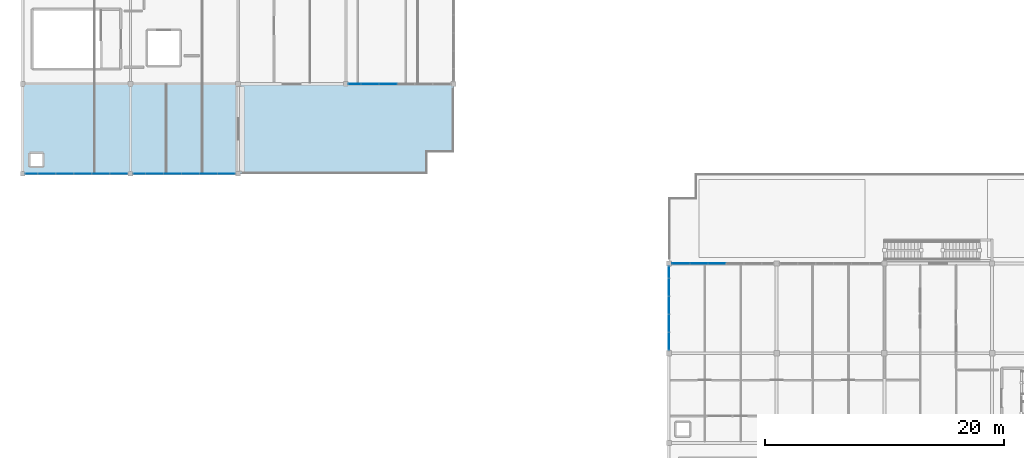
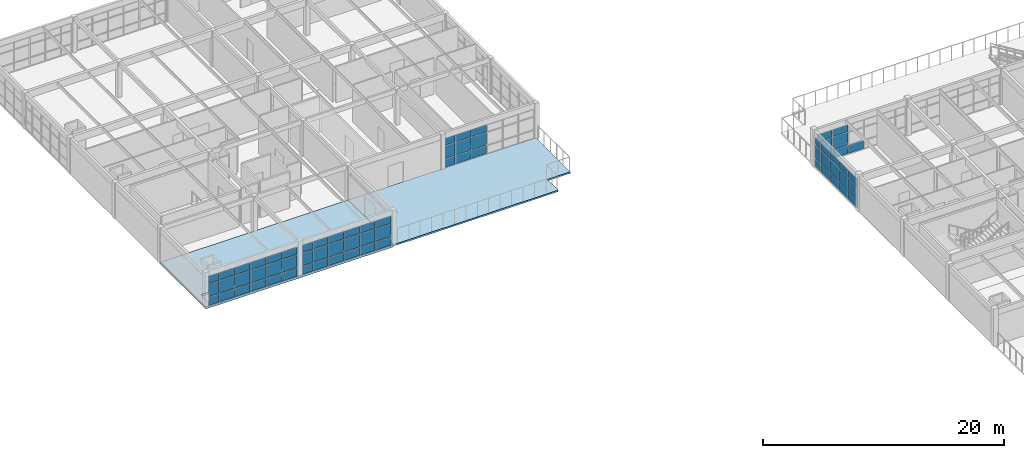
# One storey, part 27 of 45: 67 plates, 2 slabs, 5 elements without a shape of their own.
"""IFC4 building model written with IfcOpenShell, lengths in metres."""

from ifc_helpers import new_model, si_unit, direction, frame, origin, origin_2d, place, context, subcontext, project, spatial, polyline, rectangle, outline, extrude, material, layer, layer_set, type_object, element, aggregate, save


model = new_model("IFC4")

# Units and contexts
model_context = context("Model", 3, precision=1e-05, world=origin(), true_north=direction((0.0, 1.0)))
body_context = subcontext(model_context, "Body", "Model", "MODEL_VIEW")
ifc_project = project(units=[si_unit("LENGTHUNIT", "METRE"), si_unit("AREAUNIT", "SQUARE_METRE"), si_unit("VOLUMEUNIT", "CUBIC_METRE"), si_unit("PLANEANGLEUNIT", "RADIAN"), si_unit("MASSUNIT", "GRAM", prefix="KILO")], contexts=[model_context])

# Site, building, storey
site_placement = place(None, origin())
site = spatial("IfcSite", under=ifc_project, at=site_placement, CompositionType="ELEMENT")
building_placement = place(site_placement, origin())
building = spatial("IfcBuilding", under=site, at=building_placement, Name="Marnridge Secondary College", CompositionType="ELEMENT")
storey_placement = place(building_placement, frame((0.0, 0.0, 12.300048828125)))
storey = spatial("IfcBuildingStorey", under=building, at=storey_placement, Name="L03", CompositionType="ELEMENT", Elevation=12.300048828125)

# Curtain wall, plates
ifc_material_1 = material(Name="Thermally broken aluminium and low-E glazing", Category="aluminium")
ifc_layer_1 = layer(ifc_material_1, 0.159912109375)
ifc_layer_set_1 = layer_set([ifc_layer_1], Name="CW-MOD-1500")
curtain_wall_type = type_object("IfcCurtainWallType", Name="CW-MOD-1500", PredefinedType="NOTDEFINED", material=ifc_layer_set_1)
curtain_wall_1_placement = place(storey_placement, origin())
curtain_wall_1 = element("IfcCurtainWall", 1, at=curtain_wall_1_placement, inside=storey, type_object=curtain_wall_type, Name="Unitised curtain wall CW-L03-114", PredefinedType="NOTDEFINED")
ifc_material_2 = material(Name="Double-glazed low-E argon unit", Category="glass")
ifc_layer_2 = layer(ifc_material_2, 0.028076171875)
ifc_layer_set_2 = layer_set([ifc_layer_2], Name="CWP-GLZ28")
plate_type = type_object("IfcPlateType", Name="CWP-GLZ28", PredefinedType="CURTAIN_PANEL", material=ifc_layer_set_2)
plate_1_placement = place(storey_placement, frame((55.009033203125, 75.0, 0.059814453125), z_axis=(0.0, 0.0, 1.0), x_axis=(1.0, 0.0, 0.0)))
plate_1 = element("IfcPlate", 2, at=plate_1_placement, type_object=plate_type, Name="CW-L03-114 panel 1.1", PredefinedType="CURTAIN_PANEL", context=body_context, shape_type="SweptSolid", body=[
    extrude(rectangle(XDim=1.43994140625, YDim=0.028076171875, at=origin_2d()), origin(), (0.0, 0.0, 1.0), 0.81005859375),
])
plate_2_placement = place(storey_placement, frame((55.009033203125, 75.0, 0.929931640625), z_axis=(0.0, 0.0, 1.0), x_axis=(1.0, 0.0, 0.0)))
plate_2 = element("IfcPlate", 3, at=plate_2_placement, type_object=plate_type, Name="CW-L03-114 panel 1.2", PredefinedType="CURTAIN_PANEL", context=body_context, shape_type="SweptSolid", body=[
    extrude(rectangle(XDim=1.43994140625, YDim=0.028076171875, at=origin_2d()), origin(), (0.0, 0.0, 1.0), 1.2900390625),
])
plate_3_placement = place(storey_placement, frame((55.009033203125, 75.0, 2.280029296875), z_axis=(0.0, 0.0, 1.0), x_axis=(1.0, 0.0, 0.0)))
plate_3 = element("IfcPlate", 4, at=plate_3_placement, type_object=plate_type, Name="CW-L03-114 panel 1.3", PredefinedType="CURTAIN_PANEL", context=body_context, shape_type="SweptSolid", body=[
    extrude(rectangle(XDim=1.43994140625, YDim=0.028076171875, at=origin_2d()), origin(), (0.0, 0.0, 1.0), 0.70703125),
])
plate_4_placement = place(storey_placement, frame((56.509033203125, 75.0, 0.059814453125), z_axis=(0.0, 0.0, 1.0), x_axis=(1.0, 0.0, 0.0)))
plate_4 = element("IfcPlate", 5, at=plate_4_placement, type_object=plate_type, Name="CW-L03-114 panel 2.1", PredefinedType="CURTAIN_PANEL", context=body_context, shape_type="SweptSolid", body=[
    extrude(rectangle(XDim=1.43994140625, YDim=0.028076171875, at=origin_2d()), origin(), (0.0, 0.0, 1.0), 0.81005859375),
])
plate_5_placement = place(storey_placement, frame((56.509033203125, 75.0, 0.929931640625), z_axis=(0.0, 0.0, 1.0), x_axis=(1.0, 0.0, 0.0)))
plate_5 = element("IfcPlate", 6, at=plate_5_placement, type_object=plate_type, Name="CW-L03-114 panel 2.2", PredefinedType="CURTAIN_PANEL", context=body_context, shape_type="SweptSolid", body=[
    extrude(rectangle(XDim=1.43994140625, YDim=0.028076171875, at=origin_2d()), origin(), (0.0, 0.0, 1.0), 1.2900390625),
])
plate_6_placement = place(storey_placement, frame((56.509033203125, 75.0, 2.280029296875), z_axis=(0.0, 0.0, 1.0), x_axis=(1.0, 0.0, 0.0)))
plate_6 = element("IfcPlate", 7, at=plate_6_placement, type_object=plate_type, Name="CW-L03-114 panel 2.3", PredefinedType="CURTAIN_PANEL", context=body_context, shape_type="SweptSolid", body=[
    extrude(rectangle(XDim=1.43994140625, YDim=0.028076171875, at=origin_2d()), origin(), (0.0, 0.0, 1.0), 0.70703125),
])
plate_7_placement = place(storey_placement, frame((58.009033203125, 75.0, 0.059814453125), z_axis=(0.0, 0.0, 1.0), x_axis=(1.0, 0.0, 0.0)))
plate_7 = element("IfcPlate", 8, at=plate_7_placement, type_object=plate_type, Name="CW-L03-114 panel 3.1", PredefinedType="CURTAIN_PANEL", context=body_context, shape_type="SweptSolid", body=[
    extrude(rectangle(XDim=1.43994140625, YDim=0.028076171875, at=origin_2d()), origin(), (0.0, 0.0, 1.0), 0.81005859375),
])
aggregate(curtain_wall_1, [plate_1, plate_2, plate_3, plate_4, plate_5, plate_6, plate_7])

curtain_wall_2_placement = place(storey_placement, origin())
curtain_wall_2 = element("IfcCurtainWall", 9, at=curtain_wall_2_placement, inside=storey, type_object=curtain_wall_type, Name="Unitised curtain wall CW-L03-117", PredefinedType="NOTDEFINED")
plate_8_placement = place(storey_placement, frame((54.0, 68.509033203125, 0.059814453125), z_axis=(0.0, 0.0, 1.0), x_axis=(0.0, 1.0, 0.0)))
plate_8 = element("IfcPlate", 10, at=plate_8_placement, type_object=plate_type, Name="CW-L03-117 panel 1.1", PredefinedType="CURTAIN_PANEL", context=body_context, shape_type="SweptSolid", body=[
    extrude(rectangle(XDim=1.43994140625, YDim=0.028076171875, at=origin_2d()), origin(), (0.0, 0.0, 1.0), 0.81005859375),
])
plate_9_placement = place(storey_placement, frame((54.0, 68.509033203125, 0.929931640625), z_axis=(0.0, 0.0, 1.0), x_axis=(0.0, 1.0, 0.0)))
plate_9 = element("IfcPlate", 11, at=plate_9_placement, type_object=plate_type, Name="CW-L03-117 panel 1.2", PredefinedType="CURTAIN_PANEL", context=body_context, shape_type="SweptSolid", body=[
    extrude(rectangle(XDim=1.43994140625, YDim=0.028076171875, at=origin_2d()), origin(), (0.0, 0.0, 1.0), 1.2900390625),
])
plate_10_placement = place(storey_placement, frame((54.0, 68.509033203125, 2.280029296875), z_axis=(0.0, 0.0, 1.0), x_axis=(0.0, 1.0, 0.0)))
plate_10 = element("IfcPlate", 12, at=plate_10_placement, type_object=plate_type, Name="CW-L03-117 panel 1.3", PredefinedType="CURTAIN_PANEL", context=body_context, shape_type="SweptSolid", body=[
    extrude(rectangle(XDim=1.43994140625, YDim=0.028076171875, at=origin_2d()), origin(), (0.0, 0.0, 1.0), 0.70703125),
])
plate_11_placement = place(storey_placement, frame((54.0, 70.009033203125, 0.059814453125), z_axis=(0.0, 0.0, 1.0), x_axis=(0.0, 1.0, 0.0)))
plate_11 = element("IfcPlate", 13, at=plate_11_placement, type_object=plate_type, Name="CW-L03-117 panel 2.1", PredefinedType="CURTAIN_PANEL", context=body_context, shape_type="SweptSolid", body=[
    extrude(rectangle(XDim=1.43994140625, YDim=0.028076171875, at=origin_2d()), origin(), (0.0, 0.0, 1.0), 0.81005859375),
])
plate_12_placement = place(storey_placement, frame((54.0, 70.009033203125, 0.929931640625), z_axis=(0.0, 0.0, 1.0), x_axis=(0.0, 1.0, 0.0)))
plate_12 = element("IfcPlate", 14, at=plate_12_placement, type_object=plate_type, Name="CW-L03-117 panel 2.2", PredefinedType="CURTAIN_PANEL", context=body_context, shape_type="SweptSolid", body=[
    extrude(rectangle(XDim=1.43994140625, YDim=0.028076171875, at=origin_2d()), origin(), (0.0, 0.0, 1.0), 1.2900390625),
])
plate_13_placement = place(storey_placement, frame((54.0, 70.009033203125, 2.280029296875), z_axis=(0.0, 0.0, 1.0), x_axis=(0.0, 1.0, 0.0)))
plate_13 = element("IfcPlate", 15, at=plate_13_placement, type_object=plate_type, Name="CW-L03-117 panel 2.3", PredefinedType="CURTAIN_PANEL", context=body_context, shape_type="SweptSolid", body=[
    extrude(rectangle(XDim=1.43994140625, YDim=0.028076171875, at=origin_2d()), origin(), (0.0, 0.0, 1.0), 0.70703125),
])
plate_14_placement = place(storey_placement, frame((54.0, 71.509033203125, 0.059814453125), z_axis=(0.0, 0.0, 1.0), x_axis=(0.0, 1.0, 0.0)))
plate_14 = element("IfcPlate", 16, at=plate_14_placement, type_object=plate_type, Name="CW-L03-117 panel 3.1", PredefinedType="CURTAIN_PANEL", context=body_context, shape_type="SweptSolid", body=[
    extrude(rectangle(XDim=1.43994140625, YDim=0.028076171875, at=origin_2d()), origin(), (0.0, 0.0, 1.0), 0.81005859375),
])
plate_15_placement = place(storey_placement, frame((54.0, 71.509033203125, 0.929931640625), z_axis=(0.0, 0.0, 1.0), x_axis=(0.0, 1.0, 0.0)))
plate_15 = element("IfcPlate", 17, at=plate_15_placement, type_object=plate_type, Name="CW-L03-117 panel 3.2", PredefinedType="CURTAIN_PANEL", context=body_context, shape_type="SweptSolid", body=[
    extrude(rectangle(XDim=1.43994140625, YDim=0.028076171875, at=origin_2d()), origin(), (0.0, 0.0, 1.0), 1.2900390625),
])
plate_16_placement = place(storey_placement, frame((54.0, 71.509033203125, 2.280029296875), z_axis=(0.0, 0.0, 1.0), x_axis=(0.0, 1.0, 0.0)))
plate_16 = element("IfcPlate", 18, at=plate_16_placement, type_object=plate_type, Name="CW-L03-117 panel 3.3", PredefinedType="CURTAIN_PANEL", context=body_context, shape_type="SweptSolid", body=[
    extrude(rectangle(XDim=1.43994140625, YDim=0.028076171875, at=origin_2d()), origin(), (0.0, 0.0, 1.0), 0.70703125),
])
plate_17_placement = place(storey_placement, frame((54.0, 73.009033203125, 0.059814453125), z_axis=(0.0, 0.0, 1.0), x_axis=(0.0, 1.0, 0.0)))
plate_17 = element("IfcPlate", 19, at=plate_17_placement, type_object=plate_type, Name="CW-L03-117 panel 4.1", PredefinedType="CURTAIN_PANEL", context=body_context, shape_type="SweptSolid", body=[
    extrude(rectangle(XDim=1.43994140625, YDim=0.028076171875, at=origin_2d()), origin(), (0.0, 0.0, 1.0), 0.81005859375),
])
plate_18_placement = place(storey_placement, frame((54.0, 73.009033203125, 0.929931640625), z_axis=(0.0, 0.0, 1.0), x_axis=(0.0, 1.0, 0.0)))
plate_18 = element("IfcPlate", 20, at=plate_18_placement, type_object=plate_type, Name="CW-L03-117 panel 4.2", PredefinedType="CURTAIN_PANEL", context=body_context, shape_type="SweptSolid", body=[
    extrude(rectangle(XDim=1.43994140625, YDim=0.028076171875, at=origin_2d()), origin(), (0.0, 0.0, 1.0), 1.2900390625),
])
plate_19_placement = place(storey_placement, frame((54.0, 73.009033203125, 2.280029296875), z_axis=(0.0, 0.0, 1.0), x_axis=(0.0, 1.0, 0.0)))
plate_19 = element("IfcPlate", 21, at=plate_19_placement, type_object=plate_type, Name="CW-L03-117 panel 4.3", PredefinedType="CURTAIN_PANEL", context=body_context, shape_type="SweptSolid", body=[
    extrude(rectangle(XDim=1.43994140625, YDim=0.028076171875, at=origin_2d()), origin(), (0.0, 0.0, 1.0), 0.70703125),
])
plate_20_placement = place(storey_placement, frame((54.0, 74.25, 0.059814453125), z_axis=(0.0, 0.0, 1.0), x_axis=(0.0, 1.0, 0.0)))
plate_20 = element("IfcPlate", 22, at=plate_20_placement, type_object=plate_type, Name="CW-L03-117 panel 5.1", PredefinedType="CURTAIN_PANEL", context=body_context, shape_type="SweptSolid", body=[
    extrude(rectangle(XDim=0.922119140625, YDim=0.028076171875, at=origin_2d()), origin(), (0.0, 0.0, 1.0), 0.81005859375),
])
plate_21_placement = place(storey_placement, frame((54.0, 74.25, 0.929931640625), z_axis=(0.0, 0.0, 1.0), x_axis=(0.0, 1.0, 0.0)))
plate_21 = element("IfcPlate", 23, at=plate_21_placement, type_object=plate_type, Name="CW-L03-117 panel 5.2", PredefinedType="CURTAIN_PANEL", context=body_context, shape_type="SweptSolid", body=[
    extrude(rectangle(XDim=0.922119140625, YDim=0.028076171875, at=origin_2d()), origin(), (0.0, 0.0, 1.0), 1.2900390625),
])
plate_22_placement = place(storey_placement, frame((54.0, 74.25, 2.280029296875), z_axis=(0.0, 0.0, 1.0), x_axis=(0.0, 1.0, 0.0)))
plate_22 = element("IfcPlate", 24, at=plate_22_placement, type_object=plate_type, Name="CW-L03-117 panel 5.3", PredefinedType="CURTAIN_PANEL", context=body_context, shape_type="SweptSolid", body=[
    extrude(rectangle(XDim=0.922119140625, YDim=0.028076171875, at=origin_2d()), origin(), (0.0, 0.0, 1.0), 0.70703125),
])
aggregate(curtain_wall_2, [plate_8, plate_9, plate_10, plate_11, plate_12, plate_13, plate_14, plate_15, plate_16, plate_17, plate_18, plate_19, plate_20, plate_21, plate_22])

curtain_wall_3_placement = place(storey_placement, origin())
curtain_wall_3 = element("IfcCurtainWall", 25, at=curtain_wall_3_placement, inside=storey, type_object=curtain_wall_type, Name="Unitised curtain wall CW-L03-122", PredefinedType="NOTDEFINED")
plate_23_placement = place(storey_placement, frame((30.51611328125, 90.0, 0.059814453125), z_axis=(0.0, 0.0, 1.0), x_axis=(-1.0, 0.0, 0.0)))
plate_23 = element("IfcPlate", 26, at=plate_23_placement, type_object=plate_type, Name="CW-L03-122 panel 4.1", PredefinedType="CURTAIN_PANEL", context=body_context, shape_type="SweptSolid", body=[
    extrude(rectangle(XDim=1.43994140625, YDim=0.028076171875, at=origin_2d()), origin(), (0.0, 0.0, 1.0), 0.81005859375),
])
plate_24_placement = place(storey_placement, frame((30.51611328125, 90.0, 0.929931640625), z_axis=(0.0, 0.0, 1.0), x_axis=(-1.0, 0.0, 0.0)))
plate_24 = element("IfcPlate", 27, at=plate_24_placement, type_object=plate_type, Name="CW-L03-122 panel 4.2", PredefinedType="CURTAIN_PANEL", context=body_context, shape_type="SweptSolid", body=[
    extrude(rectangle(XDim=1.43994140625, YDim=0.028076171875, at=origin_2d()), origin(), (0.0, 0.0, 1.0), 1.2900390625),
])
plate_25_placement = place(storey_placement, frame((30.51611328125, 90.0, 2.27978515625), z_axis=(0.0, 0.0, 1.0), x_axis=(-1.0, 0.0, 0.0)))
plate_25 = element("IfcPlate", 28, at=plate_25_placement, type_object=plate_type, Name="CW-L03-122 panel 4.3", PredefinedType="CURTAIN_PANEL", context=body_context, shape_type="SweptSolid", body=[
    extrude(rectangle(XDim=1.43994140625, YDim=0.028076171875, at=origin_2d()), origin(), (0.0, 0.0, 1.0), 0.717041015625),
])
plate_26_placement = place(storey_placement, frame((29.01611328125, 90.0, 0.059814453125), z_axis=(0.0, 0.0, 1.0), x_axis=(-1.0, 0.0, 0.0)))
plate_26 = element("IfcPlate", 29, at=plate_26_placement, type_object=plate_type, Name="CW-L03-122 panel 5.1", PredefinedType="CURTAIN_PANEL", context=body_context, shape_type="SweptSolid", body=[
    extrude(rectangle(XDim=1.43994140625, YDim=0.028076171875, at=origin_2d()), origin(), (0.0, 0.0, 1.0), 0.81005859375),
])
plate_27_placement = place(storey_placement, frame((29.01611328125, 90.0, 0.929931640625), z_axis=(0.0, 0.0, 1.0), x_axis=(-1.0, 0.0, 0.0)))
plate_27 = element("IfcPlate", 30, at=plate_27_placement, type_object=plate_type, Name="CW-L03-122 panel 5.2", PredefinedType="CURTAIN_PANEL", context=body_context, shape_type="SweptSolid", body=[
    extrude(rectangle(XDim=1.43994140625, YDim=0.028076171875, at=origin_2d()), origin(), (0.0, 0.0, 1.0), 1.2900390625),
])
plate_28_placement = place(storey_placement, frame((29.01611328125, 90.0, 2.27978515625), z_axis=(0.0, 0.0, 1.0), x_axis=(-1.0, 0.0, 0.0)))
plate_28 = element("IfcPlate", 31, at=plate_28_placement, type_object=plate_type, Name="CW-L03-122 panel 5.3", PredefinedType="CURTAIN_PANEL", context=body_context, shape_type="SweptSolid", body=[
    extrude(rectangle(XDim=1.43994140625, YDim=0.028076171875, at=origin_2d()), origin(), (0.0, 0.0, 1.0), 0.717041015625),
])
plate_29_placement = place(storey_placement, frame((27.75, 90.0, 0.059814453125), z_axis=(0.0, 0.0, 1.0), x_axis=(-1.0, 0.0, 0.0)))
plate_29 = element("IfcPlate", 32, at=plate_29_placement, type_object=plate_type, Name="CW-L03-122 panel 6.1", PredefinedType="CURTAIN_PANEL", context=body_context, shape_type="SweptSolid", body=[
    extrude(rectangle(XDim=0.971923828125, YDim=0.028076171875, at=origin_2d()), origin(), (0.0, 0.0, 1.0), 0.81005859375),
])
plate_30_placement = place(storey_placement, frame((27.75, 90.0, 0.929931640625), z_axis=(0.0, 0.0, 1.0), x_axis=(-1.0, 0.0, 0.0)))
plate_30 = element("IfcPlate", 33, at=plate_30_placement, type_object=plate_type, Name="CW-L03-122 panel 6.2", PredefinedType="CURTAIN_PANEL", context=body_context, shape_type="SweptSolid", body=[
    extrude(rectangle(XDim=0.971923828125, YDim=0.028076171875, at=origin_2d()), origin(), (0.0, 0.0, 1.0), 1.2900390625),
])
plate_31_placement = place(storey_placement, frame((27.75, 90.0, 2.27978515625), z_axis=(0.0, 0.0, 1.0), x_axis=(-1.0, 0.0, 0.0)))
plate_31 = element("IfcPlate", 34, at=plate_31_placement, type_object=plate_type, Name="CW-L03-122 panel 6.3", PredefinedType="CURTAIN_PANEL", context=body_context, shape_type="SweptSolid", body=[
    extrude(rectangle(XDim=0.971923828125, YDim=0.028076171875, at=origin_2d()), origin(), (0.0, 0.0, 1.0), 0.717041015625),
])
aggregate(curtain_wall_3, [plate_23, plate_24, plate_25, plate_26, plate_27, plate_28, plate_29, plate_30, plate_31])

curtain_wall_4_placement = place(storey_placement, origin())
curtain_wall_4 = element("IfcCurtainWall", 35, at=curtain_wall_4_placement, inside=storey, type_object=curtain_wall_type, Name="Unitised curtain wall CW-L03-123", PredefinedType="NOTDEFINED")
plate_32_placement = place(storey_placement, frame((17.01611328125, 82.5, 0.059814453125), z_axis=(0.0, 0.0, 1.0), x_axis=(-1.0, 0.0, 0.0)))
plate_32 = element("IfcPlate", 36, at=plate_32_placement, type_object=plate_type, Name="CW-L03-123 panel 1.1", PredefinedType="CURTAIN_PANEL", context=body_context, shape_type="SweptSolid", body=[
    extrude(rectangle(XDim=1.43994140625, YDim=0.028076171875, at=origin_2d()), origin(), (0.0, 0.0, 1.0), 0.81005859375),
])
plate_33_placement = place(storey_placement, frame((17.01611328125, 82.5, 0.929931640625), z_axis=(0.0, 0.0, 1.0), x_axis=(-1.0, 0.0, 0.0)))
plate_33 = element("IfcPlate", 37, at=plate_33_placement, type_object=plate_type, Name="CW-L03-123 panel 1.2", PredefinedType="CURTAIN_PANEL", context=body_context, shape_type="SweptSolid", body=[
    extrude(rectangle(XDim=1.43994140625, YDim=0.028076171875, at=origin_2d()), origin(), (0.0, 0.0, 1.0), 1.2900390625),
])
plate_34_placement = place(storey_placement, frame((17.01611328125, 82.5, 2.27978515625), z_axis=(0.0, 0.0, 1.0), x_axis=(-1.0, 0.0, 0.0)))
plate_34 = element("IfcPlate", 38, at=plate_34_placement, type_object=plate_type, Name="CW-L03-123 panel 1.3", PredefinedType="CURTAIN_PANEL", context=body_context, shape_type="SweptSolid", body=[
    extrude(rectangle(XDim=1.43994140625, YDim=0.028076171875, at=origin_2d()), origin(), (0.0, 0.0, 1.0), 0.717041015625),
])
plate_35_placement = place(storey_placement, frame((15.51611328125, 82.5, 0.059814453125), z_axis=(0.0, 0.0, 1.0), x_axis=(-1.0, 0.0, 0.0)))
plate_35 = element("IfcPlate", 39, at=plate_35_placement, type_object=plate_type, Name="CW-L03-123 panel 2.1", PredefinedType="CURTAIN_PANEL", context=body_context, shape_type="SweptSolid", body=[
    extrude(rectangle(XDim=1.43994140625, YDim=0.028076171875, at=origin_2d()), origin(), (0.0, 0.0, 1.0), 0.81005859375),
])
plate_36_placement = place(storey_placement, frame((15.51611328125, 82.5, 0.929931640625), z_axis=(0.0, 0.0, 1.0), x_axis=(-1.0, 0.0, 0.0)))
plate_36 = element("IfcPlate", 40, at=plate_36_placement, type_object=plate_type, Name="CW-L03-123 panel 2.2", PredefinedType="CURTAIN_PANEL", context=body_context, shape_type="SweptSolid", body=[
    extrude(rectangle(XDim=1.43994140625, YDim=0.028076171875, at=origin_2d()), origin(), (0.0, 0.0, 1.0), 1.2900390625),
])
plate_37_placement = place(storey_placement, frame((15.51611328125, 82.5, 2.27978515625), z_axis=(0.0, 0.0, 1.0), x_axis=(-1.0, 0.0, 0.0)))
plate_37 = element("IfcPlate", 41, at=plate_37_placement, type_object=plate_type, Name="CW-L03-123 panel 2.3", PredefinedType="CURTAIN_PANEL", context=body_context, shape_type="SweptSolid", body=[
    extrude(rectangle(XDim=1.43994140625, YDim=0.028076171875, at=origin_2d()), origin(), (0.0, 0.0, 1.0), 0.717041015625),
])
plate_38_placement = place(storey_placement, frame((14.01611328125, 82.5, 0.059814453125), z_axis=(0.0, 0.0, 1.0), x_axis=(-1.0, 0.0, 0.0)))
plate_38 = element("IfcPlate", 42, at=plate_38_placement, type_object=plate_type, Name="CW-L03-123 panel 3.1", PredefinedType="CURTAIN_PANEL", context=body_context, shape_type="SweptSolid", body=[
    extrude(rectangle(XDim=1.43994140625, YDim=0.028076171875, at=origin_2d()), origin(), (0.0, 0.0, 1.0), 0.81005859375),
])
plate_39_placement = place(storey_placement, frame((14.01611328125, 82.5, 0.929931640625), z_axis=(0.0, 0.0, 1.0), x_axis=(-1.0, 0.0, 0.0)))
plate_39 = element("IfcPlate", 43, at=plate_39_placement, type_object=plate_type, Name="CW-L03-123 panel 3.2", PredefinedType="CURTAIN_PANEL", context=body_context, shape_type="SweptSolid", body=[
    extrude(rectangle(XDim=1.43994140625, YDim=0.028076171875, at=origin_2d()), origin(), (0.0, 0.0, 1.0), 1.2900390625),
])
plate_40_placement = place(storey_placement, frame((14.01611328125, 82.5, 2.27978515625), z_axis=(0.0, 0.0, 1.0), x_axis=(-1.0, 0.0, 0.0)))
plate_40 = element("IfcPlate", 44, at=plate_40_placement, type_object=plate_type, Name="CW-L03-123 panel 3.3", PredefinedType="CURTAIN_PANEL", context=body_context, shape_type="SweptSolid", body=[
    extrude(rectangle(XDim=1.43994140625, YDim=0.028076171875, at=origin_2d()), origin(), (0.0, 0.0, 1.0), 0.717041015625),
])
plate_41_placement = place(storey_placement, frame((12.51611328125, 82.5, 0.059814453125), z_axis=(0.0, 0.0, 1.0), x_axis=(-1.0, 0.0, 0.0)))
plate_41 = element("IfcPlate", 45, at=plate_41_placement, type_object=plate_type, Name="CW-L03-123 panel 4.1", PredefinedType="CURTAIN_PANEL", context=body_context, shape_type="SweptSolid", body=[
    extrude(rectangle(XDim=1.43994140625, YDim=0.028076171875, at=origin_2d()), origin(), (0.0, 0.0, 1.0), 0.81005859375),
])
plate_42_placement = place(storey_placement, frame((12.51611328125, 82.5, 0.929931640625), z_axis=(0.0, 0.0, 1.0), x_axis=(-1.0, 0.0, 0.0)))
plate_42 = element("IfcPlate", 46, at=plate_42_placement, type_object=plate_type, Name="CW-L03-123 panel 4.2", PredefinedType="CURTAIN_PANEL", context=body_context, shape_type="SweptSolid", body=[
    extrude(rectangle(XDim=1.43994140625, YDim=0.028076171875, at=origin_2d()), origin(), (0.0, 0.0, 1.0), 1.2900390625),
])
plate_43_placement = place(storey_placement, frame((12.51611328125, 82.5, 2.27978515625), z_axis=(0.0, 0.0, 1.0), x_axis=(-1.0, 0.0, 0.0)))
plate_43 = element("IfcPlate", 47, at=plate_43_placement, type_object=plate_type, Name="CW-L03-123 panel 4.3", PredefinedType="CURTAIN_PANEL", context=body_context, shape_type="SweptSolid", body=[
    extrude(rectangle(XDim=1.43994140625, YDim=0.028076171875, at=origin_2d()), origin(), (0.0, 0.0, 1.0), 0.717041015625),
])
plate_44_placement = place(storey_placement, frame((11.01611328125, 82.5, 0.059814453125), z_axis=(0.0, 0.0, 1.0), x_axis=(-1.0, 0.0, 0.0)))
plate_44 = element("IfcPlate", 48, at=plate_44_placement, type_object=plate_type, Name="CW-L03-123 panel 5.1", PredefinedType="CURTAIN_PANEL", context=body_context, shape_type="SweptSolid", body=[
    extrude(rectangle(XDim=1.43994140625, YDim=0.028076171875, at=origin_2d()), origin(), (0.0, 0.0, 1.0), 0.81005859375),
])
plate_45_placement = place(storey_placement, frame((11.01611328125, 82.5, 0.929931640625), z_axis=(0.0, 0.0, 1.0), x_axis=(-1.0, 0.0, 0.0)))
plate_45 = element("IfcPlate", 49, at=plate_45_placement, type_object=plate_type, Name="CW-L03-123 panel 5.2", PredefinedType="CURTAIN_PANEL", context=body_context, shape_type="SweptSolid", body=[
    extrude(rectangle(XDim=1.43994140625, YDim=0.028076171875, at=origin_2d()), origin(), (0.0, 0.0, 1.0), 1.2900390625),
])
plate_46_placement = place(storey_placement, frame((11.01611328125, 82.5, 2.27978515625), z_axis=(0.0, 0.0, 1.0), x_axis=(-1.0, 0.0, 0.0)))
plate_46 = element("IfcPlate", 50, at=plate_46_placement, type_object=plate_type, Name="CW-L03-123 panel 5.3", PredefinedType="CURTAIN_PANEL", context=body_context, shape_type="SweptSolid", body=[
    extrude(rectangle(XDim=1.43994140625, YDim=0.028076171875, at=origin_2d()), origin(), (0.0, 0.0, 1.0), 0.717041015625),
])
plate_47_placement = place(storey_placement, frame((9.75, 82.5, 0.059814453125), z_axis=(0.0, 0.0, 1.0), x_axis=(-1.0, 0.0, 0.0)))
plate_47 = element("IfcPlate", 51, at=plate_47_placement, type_object=plate_type, Name="CW-L03-123 panel 6.1", PredefinedType="CURTAIN_PANEL", context=body_context, shape_type="SweptSolid", body=[
    extrude(rectangle(XDim=0.971923828125, YDim=0.028076171875, at=origin_2d()), origin(), (0.0, 0.0, 1.0), 0.81005859375),
])
plate_48_placement = place(storey_placement, frame((9.75, 82.5, 0.929931640625), z_axis=(0.0, 0.0, 1.0), x_axis=(-1.0, 0.0, 0.0)))
plate_48 = element("IfcPlate", 52, at=plate_48_placement, type_object=plate_type, Name="CW-L03-123 panel 6.2", PredefinedType="CURTAIN_PANEL", context=body_context, shape_type="SweptSolid", body=[
    extrude(rectangle(XDim=0.971923828125, YDim=0.028076171875, at=origin_2d()), origin(), (0.0, 0.0, 1.0), 1.2900390625),
])
plate_49_placement = place(storey_placement, frame((9.75, 82.5, 2.27978515625), z_axis=(0.0, 0.0, 1.0), x_axis=(-1.0, 0.0, 0.0)))
plate_49 = element("IfcPlate", 53, at=plate_49_placement, type_object=plate_type, Name="CW-L03-123 panel 6.3", PredefinedType="CURTAIN_PANEL", context=body_context, shape_type="SweptSolid", body=[
    extrude(rectangle(XDim=0.971923828125, YDim=0.028076171875, at=origin_2d()), origin(), (0.0, 0.0, 1.0), 0.717041015625),
])
aggregate(curtain_wall_4, [plate_32, plate_33, plate_34, plate_35, plate_36, plate_37, plate_38, plate_39, plate_40, plate_41, plate_42, plate_43, plate_44, plate_45, plate_46, plate_47, plate_48, plate_49])

curtain_wall_5_placement = place(storey_placement, origin())
curtain_wall_5 = element("IfcCurtainWall", 54, at=curtain_wall_5_placement, inside=storey, type_object=curtain_wall_type, Name="Unitised curtain wall CW-L03-124", PredefinedType="NOTDEFINED")
plate_50_placement = place(storey_placement, frame((8.01611328125, 82.5, 0.059814453125), z_axis=(0.0, 0.0, 1.0), x_axis=(-1.0, 0.0, 0.0)))
plate_50 = element("IfcPlate", 55, at=plate_50_placement, type_object=plate_type, Name="CW-L03-124 panel 1.1", PredefinedType="CURTAIN_PANEL", context=body_context, shape_type="SweptSolid", body=[
    extrude(rectangle(XDim=1.43994140625, YDim=0.028076171875, at=origin_2d()), origin(), (0.0, 0.0, 1.0), 0.81005859375),
])
plate_51_placement = place(storey_placement, frame((8.01611328125, 82.5, 0.929931640625), z_axis=(0.0, 0.0, 1.0), x_axis=(-1.0, 0.0, 0.0)))
plate_51 = element("IfcPlate", 56, at=plate_51_placement, type_object=plate_type, Name="CW-L03-124 panel 1.2", PredefinedType="CURTAIN_PANEL", context=body_context, shape_type="SweptSolid", body=[
    extrude(rectangle(XDim=1.43994140625, YDim=0.028076171875, at=origin_2d()), origin(), (0.0, 0.0, 1.0), 1.2900390625),
])
plate_52_placement = place(storey_placement, frame((8.01611328125, 82.5, 2.27978515625), z_axis=(0.0, 0.0, 1.0), x_axis=(-1.0, 0.0, 0.0)))
plate_52 = element("IfcPlate", 57, at=plate_52_placement, type_object=plate_type, Name="CW-L03-124 panel 1.3", PredefinedType="CURTAIN_PANEL", context=body_context, shape_type="SweptSolid", body=[
    extrude(rectangle(XDim=1.43994140625, YDim=0.028076171875, at=origin_2d()), origin(), (0.0, 0.0, 1.0), 0.717041015625),
])
plate_53_placement = place(storey_placement, frame((6.51611328125, 82.5, 0.059814453125), z_axis=(0.0, 0.0, 1.0), x_axis=(-1.0, 0.0, 0.0)))
plate_53 = element("IfcPlate", 58, at=plate_53_placement, type_object=plate_type, Name="CW-L03-124 panel 2.1", PredefinedType="CURTAIN_PANEL", context=body_context, shape_type="SweptSolid", body=[
    extrude(rectangle(XDim=1.43994140625, YDim=0.028076171875, at=origin_2d()), origin(), (0.0, 0.0, 1.0), 0.81005859375),
])
plate_54_placement = place(storey_placement, frame((6.51611328125, 82.5, 0.929931640625), z_axis=(0.0, 0.0, 1.0), x_axis=(-1.0, 0.0, 0.0)))
plate_54 = element("IfcPlate", 59, at=plate_54_placement, type_object=plate_type, Name="CW-L03-124 panel 2.2", PredefinedType="CURTAIN_PANEL", context=body_context, shape_type="SweptSolid", body=[
    extrude(rectangle(XDim=1.43994140625, YDim=0.028076171875, at=origin_2d()), origin(), (0.0, 0.0, 1.0), 1.2900390625),
])
plate_55_placement = place(storey_placement, frame((6.51611328125, 82.5, 2.27978515625), z_axis=(0.0, 0.0, 1.0), x_axis=(-1.0, 0.0, 0.0)))
plate_55 = element("IfcPlate", 60, at=plate_55_placement, type_object=plate_type, Name="CW-L03-124 panel 2.3", PredefinedType="CURTAIN_PANEL", context=body_context, shape_type="SweptSolid", body=[
    extrude(rectangle(XDim=1.43994140625, YDim=0.028076171875, at=origin_2d()), origin(), (0.0, 0.0, 1.0), 0.717041015625),
])
plate_56_placement = place(storey_placement, frame((5.01611328125, 82.5, 0.059814453125), z_axis=(0.0, 0.0, 1.0), x_axis=(-1.0, 0.0, 0.0)))
plate_56 = element("IfcPlate", 61, at=plate_56_placement, type_object=plate_type, Name="CW-L03-124 panel 3.1", PredefinedType="CURTAIN_PANEL", context=body_context, shape_type="SweptSolid", body=[
    extrude(rectangle(XDim=1.43994140625, YDim=0.028076171875, at=origin_2d()), origin(), (0.0, 0.0, 1.0), 0.81005859375),
])
plate_57_placement = place(storey_placement, frame((5.01611328125, 82.5, 0.929931640625), z_axis=(0.0, 0.0, 1.0), x_axis=(-1.0, 0.0, 0.0)))
plate_57 = element("IfcPlate", 62, at=plate_57_placement, type_object=plate_type, Name="CW-L03-124 panel 3.2", PredefinedType="CURTAIN_PANEL", context=body_context, shape_type="SweptSolid", body=[
    extrude(rectangle(XDim=1.43994140625, YDim=0.028076171875, at=origin_2d()), origin(), (0.0, 0.0, 1.0), 1.2900390625),
])
plate_58_placement = place(storey_placement, frame((5.01611328125, 82.5, 2.27978515625), z_axis=(0.0, 0.0, 1.0), x_axis=(-1.0, 0.0, 0.0)))
plate_58 = element("IfcPlate", 63, at=plate_58_placement, type_object=plate_type, Name="CW-L03-124 panel 3.3", PredefinedType="CURTAIN_PANEL", context=body_context, shape_type="SweptSolid", body=[
    extrude(rectangle(XDim=1.43994140625, YDim=0.028076171875, at=origin_2d()), origin(), (0.0, 0.0, 1.0), 0.717041015625),
])
plate_59_placement = place(storey_placement, frame((3.51611328125, 82.5, 0.059814453125), z_axis=(0.0, 0.0, 1.0), x_axis=(-1.0, 0.0, 0.0)))
plate_59 = element("IfcPlate", 64, at=plate_59_placement, type_object=plate_type, Name="CW-L03-124 panel 4.1", PredefinedType="CURTAIN_PANEL", context=body_context, shape_type="SweptSolid", body=[
    extrude(rectangle(XDim=1.43994140625, YDim=0.028076171875, at=origin_2d()), origin(), (0.0, 0.0, 1.0), 0.81005859375),
])
plate_60_placement = place(storey_placement, frame((3.51611328125, 82.5, 0.929931640625), z_axis=(0.0, 0.0, 1.0), x_axis=(-1.0, 0.0, 0.0)))
plate_60 = element("IfcPlate", 65, at=plate_60_placement, type_object=plate_type, Name="CW-L03-124 panel 4.2", PredefinedType="CURTAIN_PANEL", context=body_context, shape_type="SweptSolid", body=[
    extrude(rectangle(XDim=1.43994140625, YDim=0.028076171875, at=origin_2d()), origin(), (0.0, 0.0, 1.0), 1.2900390625),
])
plate_61_placement = place(storey_placement, frame((3.51611328125, 82.5, 2.27978515625), z_axis=(0.0, 0.0, 1.0), x_axis=(-1.0, 0.0, 0.0)))
plate_61 = element("IfcPlate", 66, at=plate_61_placement, type_object=plate_type, Name="CW-L03-124 panel 4.3", PredefinedType="CURTAIN_PANEL", context=body_context, shape_type="SweptSolid", body=[
    extrude(rectangle(XDim=1.43994140625, YDim=0.028076171875, at=origin_2d()), origin(), (0.0, 0.0, 1.0), 0.717041015625),
])
plate_62_placement = place(storey_placement, frame((2.01611328125, 82.5, 0.059814453125), z_axis=(0.0, 0.0, 1.0), x_axis=(-1.0, 0.0, 0.0)))
plate_62 = element("IfcPlate", 67, at=plate_62_placement, type_object=plate_type, Name="CW-L03-124 panel 5.1", PredefinedType="CURTAIN_PANEL", context=body_context, shape_type="SweptSolid", body=[
    extrude(rectangle(XDim=1.43994140625, YDim=0.028076171875, at=origin_2d()), origin(), (0.0, 0.0, 1.0), 0.81005859375),
])
plate_63_placement = place(storey_placement, frame((2.01611328125, 82.5, 0.929931640625), z_axis=(0.0, 0.0, 1.0), x_axis=(-1.0, 0.0, 0.0)))
plate_63 = element("IfcPlate", 68, at=plate_63_placement, type_object=plate_type, Name="CW-L03-124 panel 5.2", PredefinedType="CURTAIN_PANEL", context=body_context, shape_type="SweptSolid", body=[
    extrude(rectangle(XDim=1.43994140625, YDim=0.028076171875, at=origin_2d()), origin(), (0.0, 0.0, 1.0), 1.2900390625),
])
plate_64_placement = place(storey_placement, frame((2.01611328125, 82.5, 2.27978515625), z_axis=(0.0, 0.0, 1.0), x_axis=(-1.0, 0.0, 0.0)))
plate_64 = element("IfcPlate", 69, at=plate_64_placement, type_object=plate_type, Name="CW-L03-124 panel 5.3", PredefinedType="CURTAIN_PANEL", context=body_context, shape_type="SweptSolid", body=[
    extrude(rectangle(XDim=1.43994140625, YDim=0.028076171875, at=origin_2d()), origin(), (0.0, 0.0, 1.0), 0.717041015625),
])
plate_65_placement = place(storey_placement, frame((0.75, 82.5, 0.059814453125), z_axis=(0.0, 0.0, 1.0), x_axis=(-1.0, 0.0, 0.0)))
plate_65 = element("IfcPlate", 70, at=plate_65_placement, type_object=plate_type, Name="CW-L03-124 panel 6.1", PredefinedType="CURTAIN_PANEL", context=body_context, shape_type="SweptSolid", body=[
    extrude(rectangle(XDim=0.971923828125, YDim=0.028076171875, at=origin_2d()), origin(), (0.0, 0.0, 1.0), 0.81005859375),
])
plate_66_placement = place(storey_placement, frame((0.75, 82.5, 0.929931640625), z_axis=(0.0, 0.0, 1.0), x_axis=(-1.0, 0.0, 0.0)))
plate_66 = element("IfcPlate", 71, at=plate_66_placement, type_object=plate_type, Name="CW-L03-124 panel 6.2", PredefinedType="CURTAIN_PANEL", context=body_context, shape_type="SweptSolid", body=[
    extrude(rectangle(XDim=0.971923828125, YDim=0.028076171875, at=origin_2d()), origin(), (0.0, 0.0, 1.0), 1.2900390625),
])
plate_67_placement = place(storey_placement, frame((0.75, 82.5, 2.27978515625), z_axis=(0.0, 0.0, 1.0), x_axis=(-1.0, 0.0, 0.0)))
plate_67 = element("IfcPlate", 72, at=plate_67_placement, type_object=plate_type, Name="CW-L03-124 panel 6.3", PredefinedType="CURTAIN_PANEL", context=body_context, shape_type="SweptSolid", body=[
    extrude(rectangle(XDim=0.971923828125, YDim=0.028076171875, at=origin_2d()), origin(), (0.0, 0.0, 1.0), 0.717041015625),
])
aggregate(curtain_wall_5, [plate_50, plate_51, plate_52, plate_53, plate_54, plate_55, plate_56, plate_57, plate_58, plate_59, plate_60, plate_61, plate_62, plate_63, plate_64, plate_65, plate_66, plate_67])

# Slabs
ifc_material_3 = material(Name="Cross-laminated timber CL5", Category="wood")
ifc_layer_3 = layer(ifc_material_3, 0.219970703125)
ifc_layer_set_3 = layer_set([ifc_layer_3], Name="SL-CLT-220")
slab_type_1 = type_object("IfcSlabType", Name="SL-CLT-220", PredefinedType="FLOOR", material=ifc_layer_set_3)
slab_1_placement = place(storey_placement, frame((0.0, 0.0, -0.219970703125)))
element("IfcSlab", 73, at=slab_1_placement, inside=storey, type_object=slab_type_1, Name="Floor slab SL-L03-041", PredefinedType="FLOOR", context=body_context, shape_type="SweptSolid", body=[
    extrude(outline(polyline([(0.0, 82.5), (0.0, 90.0), (18.0, 90.0), (18.0, 82.5), (0.0, 82.5)]), holes=[polyline([(0.550048828125, 83.050048828125), (1.75, 83.050048828125), (1.75, 84.25), (0.550048828125, 84.25), (0.550048828125, 83.050048828125)])]), origin(), (0.0, 0.0, 1.0), 0.219970703125),
])
ifc_material_4 = material(Name="Cross-laminated timber CL5", Category="wood")
ifc_layer_4 = layer(ifc_material_4, 0.159912109375)
ifc_layer_set_4 = layer_set([ifc_layer_4], Name="SL-DECK-160")
slab_type_2 = type_object("IfcSlabType", Name="SL-DECK-160", PredefinedType="ROOF", material=ifc_layer_set_4)
slab_2_placement = place(storey_placement, frame((0.0, 0.0, -0.16015625)))
element("IfcSlab", 74, at=slab_2_placement, inside=storey, type_object=slab_type_2, Name="External deck slab SL-L03-059", PredefinedType="ROOF", context=body_context, shape_type="SweptSolid", body=[
    extrude(outline(polyline([(18.0, 82.5), (33.800048828125, 82.5), (33.800048828125, 84.300048828125), (36.0, 84.300048828125), (36.0, 90.0), (18.0, 90.0), (18.0, 82.5)])), origin(), (0.0, 0.0, 1.0), 0.16015625),
])

save(model, "model.ifc")
